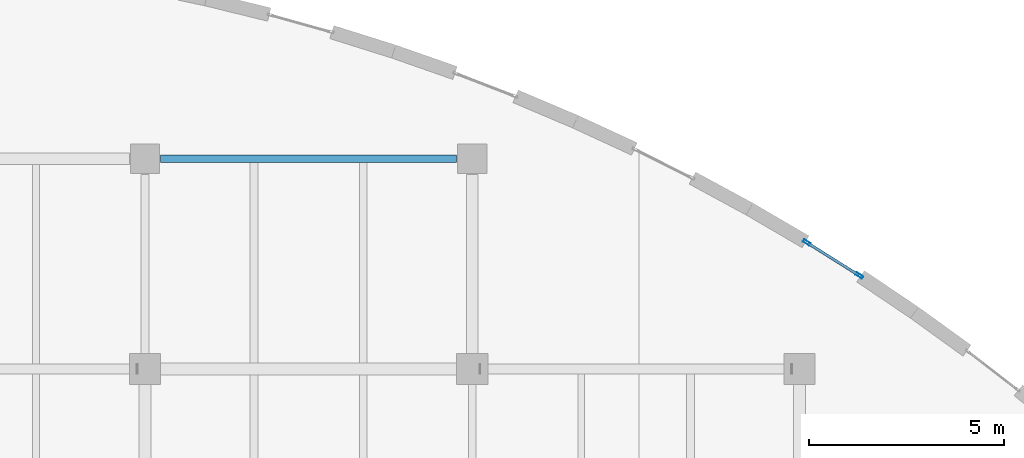
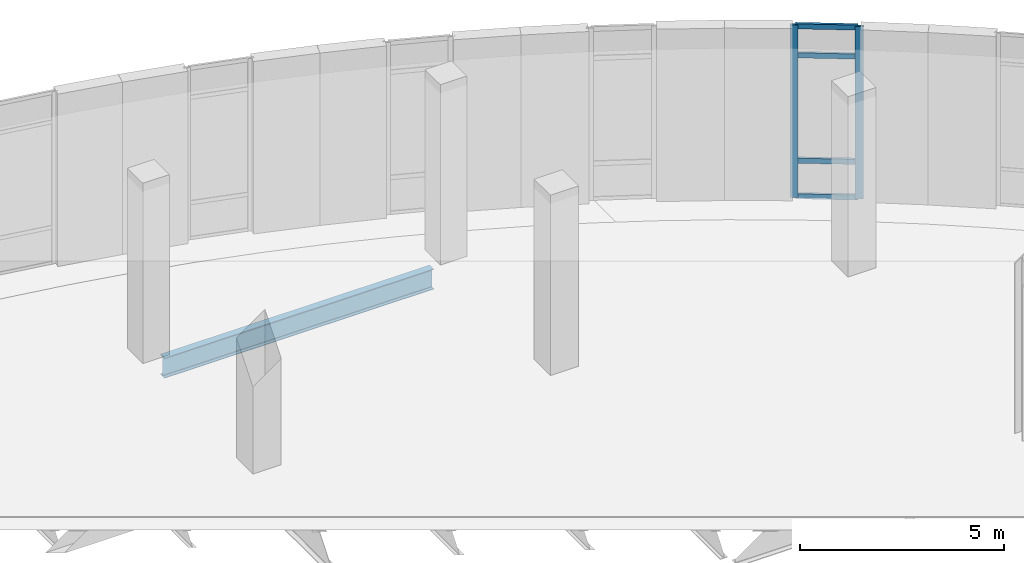
# One storey, part 53 of 110: 6 members, 1 beam, 1 element without a shape of its own.
"""IFC4 building model written with IfcOpenShell, lengths in metres."""

from ifc_helpers import new_model, si_unit, direction, frame, origin, origin_2d, place, context, subcontext, project, spatial, hollow_rectangle, i_section, extrude, material, layer, layer_set, material_profile, profile_set, type_object, element, aggregate, save


model = new_model("IFC4")

# Units and contexts
model_context = context("Model", 3, precision=1e-05, world=origin(), true_north=direction((0.0, 1.0)))
body_context = subcontext(model_context, "Body", "Model", "MODEL_VIEW")
ifc_project = project(units=[si_unit("LENGTHUNIT", "METRE"), si_unit("AREAUNIT", "SQUARE_METRE"), si_unit("VOLUMEUNIT", "CUBIC_METRE"), si_unit("PLANEANGLEUNIT", "RADIAN"), si_unit("MASSUNIT", "GRAM", prefix="KILO"), si_unit("THERMODYNAMICTEMPERATUREUNIT", "KELVIN")], contexts=[model_context])

# Site, building, storey
site_placement = place(None, origin())
site = spatial("IfcSite", under=ifc_project, at=site_placement, CompositionType="ELEMENT")
building_placement = place(site_placement, origin())
building = spatial("IfcBuilding", under=site, at=building_placement, Name="Lustrewick Department Store", CompositionType="ELEMENT")
storey_placement = place(building_placement, frame((0.0, 0.0, 6.0)))
storey = spatial("IfcBuildingStorey", under=building, at=storey_placement, Name="L02", CompositionType="ELEMENT", Elevation=6.0)

# Curtain wall, members
ifc_material_1 = material(Name="Thermally broken aluminium 6063-T5", Category="aluminium")
ifc_layer = layer(ifc_material_1, 0.199951171875, Name="Thermally broken aluminium 6063-T5")
ifc_layer_set = layer_set([ifc_layer], Name="Thermally broken aluminium 6063-T5")
curtain_wall_type = type_object("IfcCurtainWallType", Name="CW01", PredefinedType="NOTDEFINED", material=ifc_layer_set)
curtain_wall_placement = place(storey_placement, origin())
curtain_wall = element("IfcCurtainWall", 1, at=curtain_wall_placement, inside=storey, type_object=curtain_wall_type, Name="L02 V4 Curtain Wall CW01", PredefinedType="NOTDEFINED")
ifc_material_profile_1 = material_profile(ifc_material_1, hollow_rectangle(XDim=0.070068359375, YDim=0.199951171875, WallThickness=0.00390625, at=origin_2d()), Name="ALU-M 70x200x4")
ifc_profile_set_1 = profile_set([ifc_material_profile_1], Name="Thermally broken aluminium 6063-T5")
member_type_1 = type_object("IfcMemberType", Name="CW01-M1", PredefinedType="MULLION", material=ifc_profile_set_1)
member_1_placement = place(storey_placement, frame((144.338134765625, 103.19921875, 0.0), z_axis=(0.0, 0.0, 1.0), x_axis=(-0.532014270503, -0.846735387226, 0.0)))
member_1 = element("IfcMember", 2, at=member_1_placement, type_object=member_type_1, Name="CW01 mullion 1", PredefinedType="MULLION", context=body_context, shape_type="SweptSolid", body=[
    extrude(hollow_rectangle(XDim=0.070068359375, YDim=0.199951171875, WallThickness=0.00390625, at=origin_2d()), origin(), (0.0, 0.0, 1.0), 5.14501953125),
])
member_2_placement = place(storey_placement, frame((142.986083984375, 104.048828125, 0.0), z_axis=(0.0, 0.0, 1.0), x_axis=(-0.532014270503, -0.846735387226, 0.0)))
member_2 = element("IfcMember", 3, at=member_2_placement, type_object=member_type_1, Name="CW01 mullion 2", PredefinedType="MULLION", context=body_context, shape_type="SweptSolid", body=[
    extrude(hollow_rectangle(XDim=0.070068359375, YDim=0.199951171875, WallThickness=0.00390625, at=origin_2d()), origin(), (0.0, 0.0, 1.0), 5.14501953125),
])
ifc_material_profile_2 = material_profile(ifc_material_1, hollow_rectangle(XDim=0.070068359375, YDim=0.14990234375, WallThickness=0.00390625, at=origin_2d()), Name="ALU-T 70x150x4")
ifc_profile_set_2 = profile_set([ifc_material_profile_2], Name="Thermally broken aluminium 6063-T5")
member_type_2 = type_object("IfcMemberType", Name="CW01-T1", PredefinedType="USERDEFINED", material=ifc_profile_set_2)
member_3_placement = place(storey_placement, frame((144.30859375, 103.2177734375, 0.034912109375), z_axis=(-0.846702401467, 0.532066765876, 0.0), x_axis=(-0.532066765876, -0.846702401467, 0.0)))
member_3 = element("IfcMember", 4, at=member_3_placement, type_object=member_type_2, Name="CW01 transom 1.1", ObjectType="TRANSOM", PredefinedType="USERDEFINED", context=body_context, shape_type="SweptSolid", body=[
    extrude(hollow_rectangle(XDim=0.070068359375, YDim=0.14990234375, WallThickness=0.00390625, at=origin_2d()), origin(), (0.0, 0.0, 1.0), 1.527099609375),
])
member_4_placement = place(storey_placement, frame((144.30859375, 103.2177734375, 1.10009765625), z_axis=(-0.846702401467, 0.532066765876, 0.0), x_axis=(-0.532066765876, -0.846702401467, 0.0)))
member_4 = element("IfcMember", 5, at=member_4_placement, type_object=member_type_2, Name="CW01 transom 1.2", ObjectType="TRANSOM", PredefinedType="USERDEFINED", context=body_context, shape_type="SweptSolid", body=[
    extrude(hollow_rectangle(XDim=0.070068359375, YDim=0.14990234375, WallThickness=0.00390625, at=origin_2d()), origin(), (0.0, 0.0, 1.0), 1.527099609375),
])
member_5_placement = place(storey_placement, frame((144.30859375, 103.2177734375, 4.2451171875), z_axis=(-0.846702401467, 0.532066765876, 0.0), x_axis=(-0.532066765876, -0.846702401467, 0.0)))
member_5 = element("IfcMember", 6, at=member_5_placement, type_object=member_type_2, Name="CW01 transom 1.3", ObjectType="TRANSOM", PredefinedType="USERDEFINED", context=body_context, shape_type="SweptSolid", body=[
    extrude(hollow_rectangle(XDim=0.070068359375, YDim=0.14990234375, WallThickness=0.00390625, at=origin_2d()), origin(), (0.0, 0.0, 1.0), 1.527099609375),
])
member_6_placement = place(storey_placement, frame((144.30859375, 103.2177734375, 5.110107421875), z_axis=(-0.846702401467, 0.532066765876, 0.0), x_axis=(-0.532066765876, -0.846702401467, 0.0)))
member_6 = element("IfcMember", 7, at=member_6_placement, type_object=member_type_2, Name="CW01 transom 1.4", ObjectType="TRANSOM", PredefinedType="USERDEFINED", context=body_context, shape_type="SweptSolid", body=[
    extrude(hollow_rectangle(XDim=0.070068359375, YDim=0.14990234375, WallThickness=0.00390625, at=origin_2d()), origin(), (0.0, 0.0, 1.0), 1.527099609375),
])
aggregate(curtain_wall, [member_1, member_2, member_3, member_4, member_5, member_6])

# Beam
ifc_material_2 = material(Name="Structural steel Q355B", Category="steel")
ifc_material_profile_3 = material_profile(ifc_material_2, i_section(OverallWidth=0.200927734375, OverallDepth=0.60595703125, WebThickness=0.011962890625, FlangeThickness=0.02001953125, FilletRadius=0.01806640625, at=origin_2d()), Name="HN 606x201x12x20")
ifc_profile_set_3 = profile_set([ifc_material_profile_3], Name="Structural steel Q355B")
beam_type = type_object("IfcBeamType", Name="G13", PredefinedType="BEAM", material=ifc_profile_set_3)
beam_placement = place(storey_placement, frame((126.39990234375, 106.199951171875, -0.55810546875), z_axis=(1.0, 0.0, 0.0), x_axis=(0.0, 1.0, 0.0)))
element("IfcBeam", 8, at=beam_placement, inside=storey, type_object=beam_type, Name="L02 V4 Girder G13", PredefinedType="BEAM", context=body_context, shape_type="SweptSolid", body=[
    extrude(i_section(OverallWidth=0.200927734375, OverallDepth=0.60595703125, WebThickness=0.011962890625, FlangeThickness=0.02001953125, FilletRadius=0.01806640625, at=origin_2d()), origin(), (0.0, 0.0, 1.0), 7.60009765625),
])

save(model, "model.ifc")
